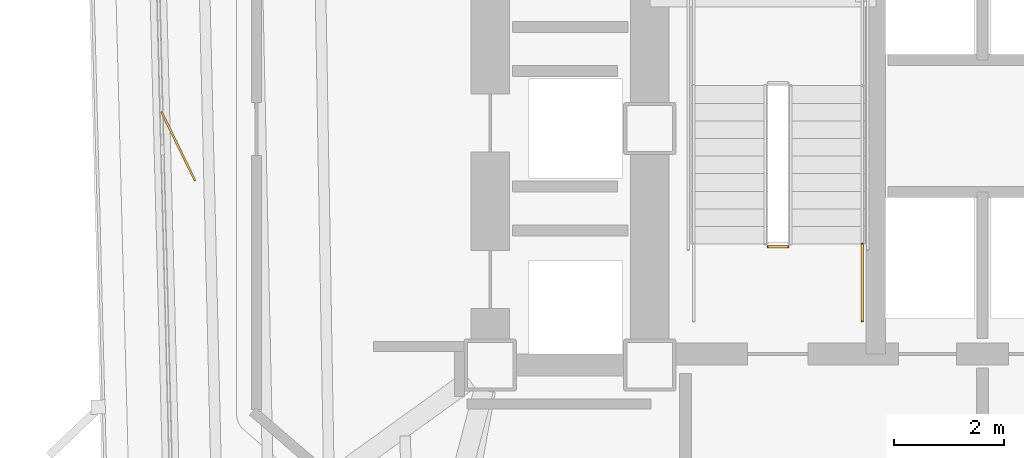
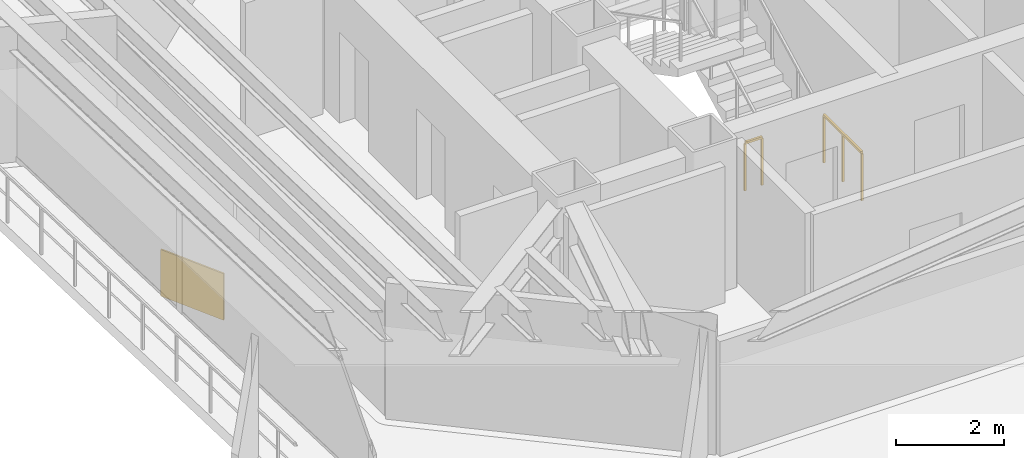
# One storey, part 11 of 14: 2 railings, 1 covering.
"""IFC4 building model written with IfcOpenShell, lengths in metres."""

from ifc_helpers import new_model, si_unit, direction, frame, origin, origin_2d, place, context, subcontext, project, spatial, rectangle, extrude, material, layer, layer_set, type_object, element, save


model = new_model("IFC4")

# Units and contexts
model_context = context("Model", 3, precision=1e-05, world=origin(), true_north=direction((0.0, 1.0)))
body_context = subcontext(model_context, "Body", "Model", "MODEL_VIEW")
ifc_project = project(units=[si_unit("LENGTHUNIT", "METRE"), si_unit("AREAUNIT", "SQUARE_METRE"), si_unit("VOLUMEUNIT", "CUBIC_METRE"), si_unit("PLANEANGLEUNIT", "RADIAN"), si_unit("MASSUNIT", "GRAM", prefix="KILO")], contexts=[model_context])

# Site, building, storey
site_placement = place(None, origin())
site = spatial("IfcSite", under=ifc_project, at=site_placement, CompositionType="ELEMENT")
building_placement = place(site_placement, origin())
building = spatial("IfcBuilding", under=site, at=building_placement, Name="Rocaltana Carrier Exchange", CompositionType="ELEMENT")
storey_placement = place(building_placement, frame((0.0, 0.0, 39.0400390625)))
storey = spatial("IfcBuildingStorey", under=building, at=storey_placement, Name="L12", CompositionType="ELEMENT", Elevation=39.0400390625)

# Railings
ifc_material_1 = material(Name="Powder-Coated Aluminium 6063-T6", Category="aluminium")
ifc_layer_1 = layer(ifc_material_1, 0.048095703125)
ifc_layer_set_1 = layer_set([ifc_layer_1], Name="Powder-Coated Aluminium 6063-T6")
railing_type = type_object("IfcRailingType", Name="Stair Well Guardrail 1100", PredefinedType="GUARDRAIL", material=ifc_layer_set_1)
railing_1_placement = place(storey_placement, frame((-3.5400390625, -2.14990234375, 0.0)))
element("IfcRailing", 1, at=railing_1_placement, inside=storey, type_object=railing_type, Name="L12 ST-1 stair guard 7", PredefinedType="GUARDRAIL", context=body_context, shape_type="SweptSolid", body=[
    extrude(rectangle(XDim=0.048095703125, YDim=0.048095703125, at=origin_2d()), frame((0.0, 0.0, 1.076171875), z_axis=(-1.0, 0.0, 0.0), x_axis=(0.0, -1.0, 0.0)), (0.0, 0.0, 1.0), 0.35986328125),
    extrude(rectangle(XDim=0.0419921875, YDim=0.0419921875, at=origin_2d()), origin(), (0.0, 0.0, 1.0), 1.052001953125),
    extrude(rectangle(XDim=0.0419921875, YDim=0.0419921875, at=origin_2d()), frame((-0.35986328125, 0.0, 0.0)), (0.0, 0.0, 1.0), 1.052001953125),
])
railing_2_placement = place(storey_placement, frame((-2.18994140625, -3.5, 0.0)))
element("IfcRailing", 2, at=railing_2_placement, inside=storey, type_object=railing_type, Name="L12 ST-1 stair guard 8", PredefinedType="GUARDRAIL", context=body_context, shape_type="SweptSolid", body=[
    extrude(rectangle(XDim=0.048095703125, YDim=0.048095703125, at=origin_2d()), frame((0.0, 0.0, 1.076171875), z_axis=(0.0, 1.0, 0.0), x_axis=(-1.0, 0.0, 0.0)), (0.0, 0.0, 1.0), 1.39990234375),
    extrude(rectangle(XDim=0.0419921875, YDim=0.0419921875, at=origin_2d()), origin(), (0.0, 0.0, 1.0), 1.052001953125),
    extrude(rectangle(XDim=0.0419921875, YDim=0.0419921875, at=origin_2d()), frame((0.0, 0.699951171875, 0.0)), (0.0, 0.0, 1.0), 1.052001953125),
    extrude(rectangle(XDim=0.0419921875, YDim=0.0419921875, at=origin_2d()), frame((0.0, 1.39990234375, 0.0)), (0.0, 0.0, 1.0), 1.052001953125),
])

# Covering
ifc_material_2 = material(Name="Honed Piedra Muneca Sandstone", Category="masonry")
ifc_layer_2 = layer(ifc_material_2, 0.034912109375)
ifc_layer_set_2 = layer_set([ifc_layer_2], Name="Honed Piedra Muneca Sandstone")
covering_type = type_object("IfcCoveringType", Name="Stone Facade Cladding 35", PredefinedType="CLADDING", material=ifc_layer_set_2)
covering_placement = place(storey_placement, frame((-14.621337890625, -0.32373046875, 0.0), z_axis=(0.0, 0.0, 1.0), x_axis=(-0.438371146789, 0.898794046299, 0.0)))
element("IfcCovering", 3, at=covering_placement, inside=storey, type_object=covering_type, Name="L12 Stone Facade Cladding Panel 1", PredefinedType="CLADDING", context=body_context, shape_type="SweptSolid", body=[
    extrude(rectangle(XDim=1.39990234375, YDim=0.034912109375, at=origin_2d()), origin(), (0.0, 0.0, 1.0), 1.050048828125),
])

save(model, "model.ifc")
